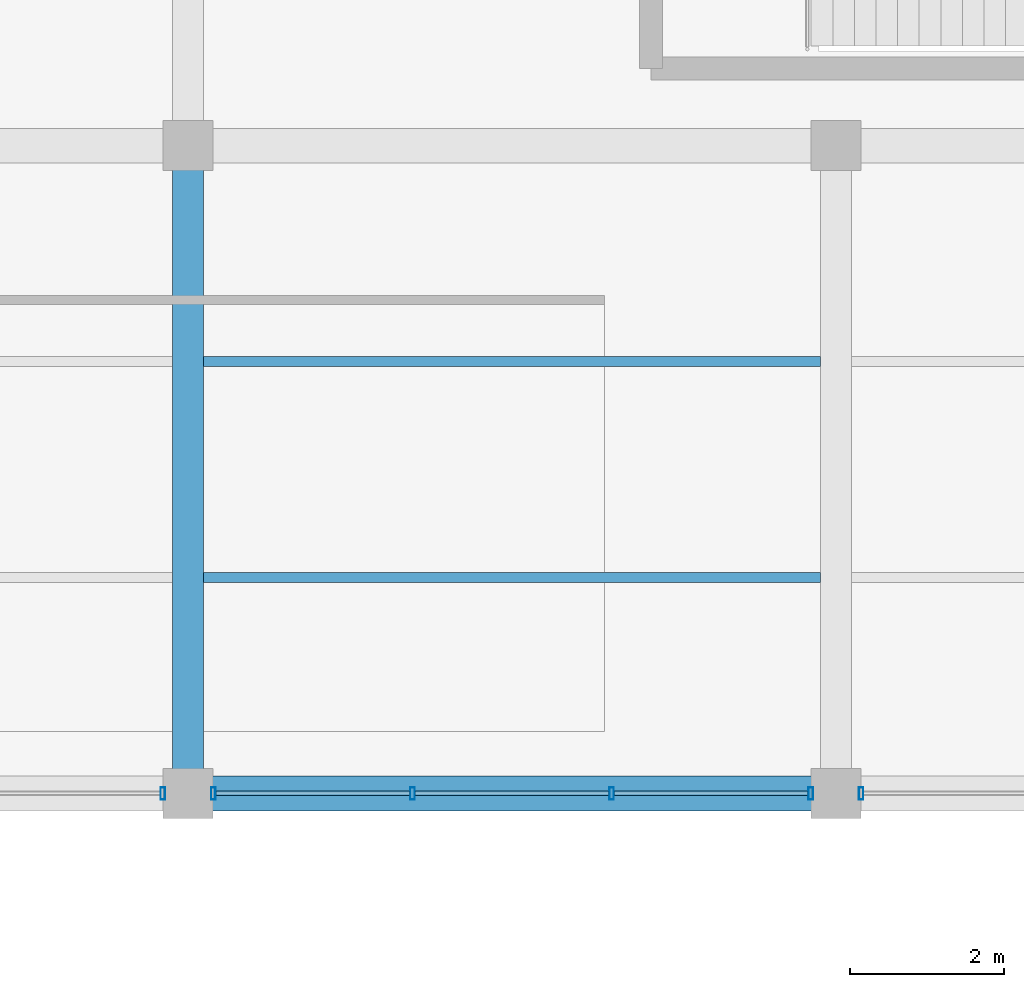
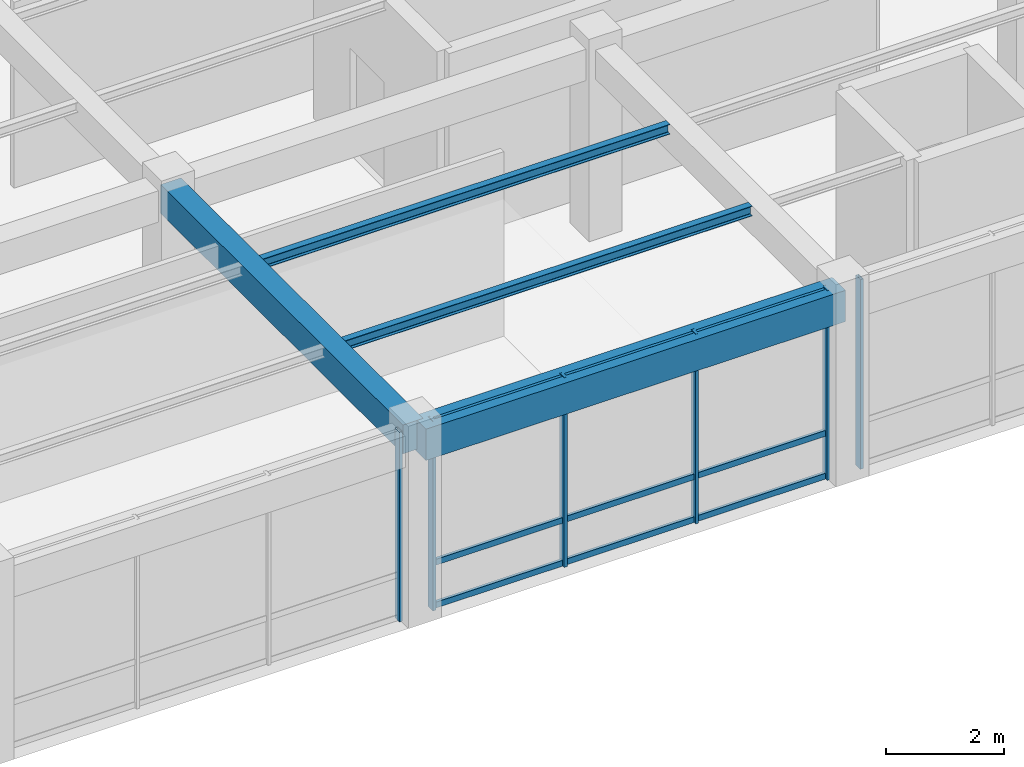
# One storey, part 20 of 138: 15 members, 4 beams, 3 elements without a shape of their own.
"""IFC4 building model written with IfcOpenShell, lengths in metres."""

from ifc_helpers import new_model, si_unit, direction, frame, origin, origin_2d, place, context, subcontext, project, spatial, rectangle, hollow_rectangle, i_section, extrude, material, material_profile, profile_set, type_object, element, aggregate, save


model = new_model("IFC4")

# Units and contexts
model_context = context("Model", 3, precision=1e-05, world=origin(), true_north=direction((0.0, 1.0)))
body_context = subcontext(model_context, "Body", "Model", "MODEL_VIEW")
ifc_project = project(units=[si_unit("LENGTHUNIT", "METRE"), si_unit("AREAUNIT", "SQUARE_METRE"), si_unit("VOLUMEUNIT", "CUBIC_METRE"), si_unit("PLANEANGLEUNIT", "RADIAN"), si_unit("MASSUNIT", "GRAM", prefix="KILO"), si_unit("THERMODYNAMICTEMPERATUREUNIT", "KELVIN"), si_unit("POWERUNIT", "WATT")], contexts=[model_context])

# Site, building, storey
site_placement = place(None, origin())
site = spatial("IfcSite", under=ifc_project, at=site_placement, CompositionType="ELEMENT")
building_placement = place(site_placement, origin())
building = spatial("IfcBuilding", under=site, at=building_placement, Name="Darbajah Civic Hall", CompositionType="ELEMENT")
storey_placement = place(building_placement, frame((0.0, 0.0, 9.60009765625)))
storey = spatial("IfcBuildingStorey", under=building, at=storey_placement, Name="L02", CompositionType="ELEMENT", Elevation=9.60009765625)

# Curtain wall, member
ifc_material_1 = material(Name="Anodised Bronze Aluminium and Low-E Glazing", Category="aluminium")
curtain_wall_type = type_object("IfcCurtainWallType", Name="Unitised Curtain Wall CW-99 7700x3950", PredefinedType="USERDEFINED", material=ifc_material_1)
curtain_wall_1_placement = place(storey_placement, origin())
curtain_wall_1 = element("IfcCurtainWall", 1, at=curtain_wall_1_placement, inside=storey, type_object=curtain_wall_type, Name="L02 unitised curtain wall CW-V5-L02-S2-B1", ObjectType="UNITISED CURTAIN WALL", PredefinedType="USERDEFINED")
ifc_material_2 = material(Name="Anodised Bronze Aluminium", Category="aluminium")
ifc_material_profile_1 = material_profile(ifc_material_2, hollow_rectangle(XDim=0.06005859375, YDim=0.159912109375, WallThickness=0.00341796875, at=origin_2d()), Name="ALU MULLION 60x160")
ifc_profile_set_1 = profile_set([ifc_material_profile_1], Name="Anodised Bronze Aluminium")
member_type_1 = type_object("IfcMemberType", Name="ALU MULLION 60x160", PredefinedType="MULLION", material=ifc_profile_set_1)
member_1_placement = place(storey_placement, frame((33.27294921875, 16.800048828125, 0.0), z_axis=(0.0, 0.0, 1.0), x_axis=(1.0, 0.0, 0.0)))
member_1 = element("IfcMember", 2, at=member_1_placement, type_object=member_type_1, Name="CW-V5-L02-S2-B1 mullion 4", PredefinedType="MULLION", context=body_context, shape_type="SweptSolid", body=[
    extrude(hollow_rectangle(XDim=0.06005859375, YDim=0.159912109375, WallThickness=0.00341796875, at=origin_2d()), origin(), (0.0, 0.0, 1.0), 3.93994140625),
])
aggregate(curtain_wall_1, [member_1])

# Curtain wall, members
curtain_wall_2_placement = place(storey_placement, origin())
curtain_wall_2 = element("IfcCurtainWall", 3, at=curtain_wall_2_placement, inside=storey, type_object=curtain_wall_type, Name="L02 unitised curtain wall CW-V5-L02-S2-B2", ObjectType="UNITISED CURTAIN WALL", PredefinedType="USERDEFINED")
member_2_placement = place(storey_placement, frame((33.927001953125, 16.800048828125, 0.0), z_axis=(0.0, 0.0, 1.0), x_axis=(1.0, 0.0, 0.0)))
member_2 = element("IfcMember", 4, at=member_2_placement, type_object=member_type_1, Name="CW-V5-L02-S2-B2 mullion 1", PredefinedType="MULLION", context=body_context, shape_type="SweptSolid", body=[
    extrude(hollow_rectangle(XDim=0.06005859375, YDim=0.159912109375, WallThickness=0.00341796875, at=origin_2d()), origin(), (0.0, 0.0, 1.0), 3.93994140625),
])
member_3_placement = place(storey_placement, frame((36.509033203125, 16.800048828125, 0.0), z_axis=(0.0, 0.0, 1.0), x_axis=(1.0, 0.0, 0.0)))
member_3 = element("IfcMember", 5, at=member_3_placement, type_object=member_type_1, Name="CW-V5-L02-S2-B2 mullion 2", PredefinedType="MULLION", context=body_context, shape_type="SweptSolid", body=[
    extrude(hollow_rectangle(XDim=0.06005859375, YDim=0.159912109375, WallThickness=0.00341796875, at=origin_2d()), origin(), (0.0, 0.0, 1.0), 3.93994140625),
])
member_4_placement = place(storey_placement, frame((39.091064453125, 16.800048828125, 0.0), z_axis=(0.0, 0.0, 1.0), x_axis=(1.0, 0.0, 0.0)))
member_4 = element("IfcMember", 6, at=member_4_placement, type_object=member_type_1, Name="CW-V5-L02-S2-B2 mullion 3", PredefinedType="MULLION", context=body_context, shape_type="SweptSolid", body=[
    extrude(hollow_rectangle(XDim=0.06005859375, YDim=0.159912109375, WallThickness=0.00341796875, at=origin_2d()), origin(), (0.0, 0.0, 1.0), 3.93994140625),
])
member_5_placement = place(storey_placement, frame((41.673095703125, 16.800048828125, 0.0), z_axis=(0.0, 0.0, 1.0), x_axis=(1.0, 0.0, 0.0)))
member_5 = element("IfcMember", 7, at=member_5_placement, type_object=member_type_1, Name="CW-V5-L02-S2-B2 mullion 4", PredefinedType="MULLION", context=body_context, shape_type="SweptSolid", body=[
    extrude(hollow_rectangle(XDim=0.06005859375, YDim=0.159912109375, WallThickness=0.00341796875, at=origin_2d()), origin(), (0.0, 0.0, 1.0), 3.93994140625),
])

# Curtain wall, member
curtain_wall_3_placement = place(storey_placement, origin())
curtain_wall_3 = element("IfcCurtainWall", 8, at=curtain_wall_3_placement, inside=storey, type_object=curtain_wall_type, Name="L02 unitised curtain wall CW-V5-L02-S2-B3", ObjectType="UNITISED CURTAIN WALL", PredefinedType="USERDEFINED")
member_6_placement = place(storey_placement, frame((42.326904296875, 16.800048828125, 0.0), z_axis=(0.0, 0.0, 1.0), x_axis=(1.0, 0.0, 0.0)))
member_6 = element("IfcMember", 9, at=member_6_placement, type_object=member_type_1, Name="CW-V5-L02-S2-B3 mullion 1", PredefinedType="MULLION", context=body_context, shape_type="SweptSolid", body=[
    extrude(hollow_rectangle(XDim=0.06005859375, YDim=0.159912109375, WallThickness=0.00341796875, at=origin_2d()), origin(), (0.0, 0.0, 1.0), 3.93994140625),
])
aggregate(curtain_wall_3, [member_6])

# Member
ifc_material_profile_2 = material_profile(ifc_material_2, hollow_rectangle(XDim=0.06005859375, YDim=0.1201171875, WallThickness=0.003173828125, at=origin_2d()), Name="ALU TRANSOM 60x120")
ifc_profile_set_2 = profile_set([ifc_material_profile_2], Name="Anodised Bronze Aluminium")
member_type_2 = type_object("IfcMemberType", Name="ALU TRANSOM 60x120", PredefinedType="USERDEFINED", material=ifc_profile_set_2)
member_7_placement = place(storey_placement, frame((33.9619140625, 16.800048828125, 0.059814453125), z_axis=(1.0, 0.0, 0.0), x_axis=(0.0, 1.0, 0.0)))
member_7 = element("IfcMember", 10, at=member_7_placement, type_object=member_type_2, Name="CW-V5-L02-S2-B2 transom 1.1", ObjectType="TRANSOM", PredefinedType="USERDEFINED", context=body_context, shape_type="SweptSolid", body=[
    extrude(hollow_rectangle(XDim=0.06005859375, YDim=0.1201171875, WallThickness=0.003173828125, at=origin_2d()), origin(), (0.0, 0.0, 1.0), 2.51220703125),
])

member_8_placement = place(storey_placement, frame((33.9619140625, 16.800048828125, 0.949951171875), z_axis=(1.0, 0.0, 0.0), x_axis=(0.0, 1.0, 0.0)))
member_8 = element("IfcMember", 11, at=member_8_placement, type_object=member_type_2, Name="CW-V5-L02-S2-B2 transom 1.2", ObjectType="TRANSOM", PredefinedType="USERDEFINED", context=body_context, shape_type="SweptSolid", body=[
    extrude(hollow_rectangle(XDim=0.06005859375, YDim=0.1201171875, WallThickness=0.003173828125, at=origin_2d()), origin(), (0.0, 0.0, 1.0), 2.51220703125),
])

member_9_placement = place(storey_placement, frame((33.9619140625, 16.800048828125, 3.8798828125), z_axis=(1.0, 0.0, 0.0), x_axis=(0.0, 1.0, 0.0)))
member_9 = element("IfcMember", 12, at=member_9_placement, type_object=member_type_2, Name="CW-V5-L02-S2-B2 transom 1.3", ObjectType="TRANSOM", PredefinedType="USERDEFINED", context=body_context, shape_type="SweptSolid", body=[
    extrude(hollow_rectangle(XDim=0.06005859375, YDim=0.1201171875, WallThickness=0.003173828125, at=origin_2d()), origin(), (0.0, 0.0, 1.0), 2.51220703125),
])

member_10_placement = place(storey_placement, frame((36.5439453125, 16.800048828125, 0.059814453125), z_axis=(1.0, 0.0, 0.0), x_axis=(0.0, 1.0, 0.0)))
member_10 = element("IfcMember", 13, at=member_10_placement, type_object=member_type_2, Name="CW-V5-L02-S2-B2 transom 2.1", ObjectType="TRANSOM", PredefinedType="USERDEFINED", context=body_context, shape_type="SweptSolid", body=[
    extrude(hollow_rectangle(XDim=0.06005859375, YDim=0.1201171875, WallThickness=0.003173828125, at=origin_2d()), origin(), (0.0, 0.0, 1.0), 2.511962890625),
])

member_11_placement = place(storey_placement, frame((36.5439453125, 16.800048828125, 0.949951171875), z_axis=(1.0, 0.0, 0.0), x_axis=(0.0, 1.0, 0.0)))
member_11 = element("IfcMember", 14, at=member_11_placement, type_object=member_type_2, Name="CW-V5-L02-S2-B2 transom 2.2", ObjectType="TRANSOM", PredefinedType="USERDEFINED", context=body_context, shape_type="SweptSolid", body=[
    extrude(hollow_rectangle(XDim=0.06005859375, YDim=0.1201171875, WallThickness=0.003173828125, at=origin_2d()), origin(), (0.0, 0.0, 1.0), 2.511962890625),
])

member_12_placement = place(storey_placement, frame((36.5439453125, 16.800048828125, 3.8798828125), z_axis=(1.0, 0.0, 0.0), x_axis=(0.0, 1.0, 0.0)))
member_12 = element("IfcMember", 15, at=member_12_placement, type_object=member_type_2, Name="CW-V5-L02-S2-B2 transom 2.3", ObjectType="TRANSOM", PredefinedType="USERDEFINED", context=body_context, shape_type="SweptSolid", body=[
    extrude(hollow_rectangle(XDim=0.06005859375, YDim=0.1201171875, WallThickness=0.003173828125, at=origin_2d()), origin(), (0.0, 0.0, 1.0), 2.511962890625),
])

member_13_placement = place(storey_placement, frame((39.1259765625, 16.800048828125, 0.059814453125), z_axis=(1.0, 0.0, 0.0), x_axis=(0.0, 1.0, 0.0)))
member_13 = element("IfcMember", 16, at=member_13_placement, type_object=member_type_2, Name="CW-V5-L02-S2-B2 transom 3.1", ObjectType="TRANSOM", PredefinedType="USERDEFINED", context=body_context, shape_type="SweptSolid", body=[
    extrude(hollow_rectangle(XDim=0.06005859375, YDim=0.1201171875, WallThickness=0.003173828125, at=origin_2d()), origin(), (0.0, 0.0, 1.0), 2.511962890625),
])

member_14_placement = place(storey_placement, frame((39.1259765625, 16.800048828125, 0.949951171875), z_axis=(1.0, 0.0, 0.0), x_axis=(0.0, 1.0, 0.0)))
member_14 = element("IfcMember", 17, at=member_14_placement, type_object=member_type_2, Name="CW-V5-L02-S2-B2 transom 3.2", ObjectType="TRANSOM", PredefinedType="USERDEFINED", context=body_context, shape_type="SweptSolid", body=[
    extrude(hollow_rectangle(XDim=0.06005859375, YDim=0.1201171875, WallThickness=0.003173828125, at=origin_2d()), origin(), (0.0, 0.0, 1.0), 2.511962890625),
])

member_15_placement = place(storey_placement, frame((39.1259765625, 16.800048828125, 3.8798828125), z_axis=(1.0, 0.0, 0.0), x_axis=(0.0, 1.0, 0.0)))
member_15 = element("IfcMember", 18, at=member_15_placement, type_object=member_type_2, Name="CW-V5-L02-S2-B2 transom 3.3", ObjectType="TRANSOM", PredefinedType="USERDEFINED", context=body_context, shape_type="SweptSolid", body=[
    extrude(hollow_rectangle(XDim=0.06005859375, YDim=0.1201171875, WallThickness=0.003173828125, at=origin_2d()), origin(), (0.0, 0.0, 1.0), 2.511962890625),
])

aggregate(curtain_wall_2, [member_2, member_3, member_4, member_5, member_7, member_8, member_9, member_10, member_11, member_12, member_13, member_14, member_15])

# Beams
ifc_material_3 = material(Name="Concrete C45/55", Category="concrete")
ifc_material_profile_3 = material_profile(ifc_material_3, rectangle(XDim=0.39990234375, YDim=0.60009765625, at=origin_2d()), Name="RC BEAM 400x600")
ifc_profile_set_3 = profile_set([ifc_material_profile_3], Name="Concrete C45/55")
beam_type_1 = type_object("IfcBeamType", Name="RC BEAM 400x600", PredefinedType="BEAM", material=ifc_profile_set_3)
beam_1_placement = place(storey_placement, frame((33.60009765625, 16.8798828125, 3.639892578125), z_axis=(0.0, 1.0, 0.0), x_axis=(-1.0, 0.0, 0.0)))
element("IfcBeam", 19, at=beam_1_placement, inside=storey, type_object=beam_type_1, Name="L02 beam BM-4060", PredefinedType="BEAM", context=body_context, shape_type="SweptSolid", body=[
    extrude(rectangle(XDim=0.39990234375, YDim=0.60009765625, at=origin_2d()), origin(), (0.0, 0.0, 1.0), 8.240234375),
])
ifc_material_profile_4 = material_profile(ifc_material_3, rectangle(XDim=0.449951171875, YDim=0.64990234375, at=origin_2d()), Name="RC BEAM 450x650")
ifc_profile_set_4 = profile_set([ifc_material_profile_4], Name="Concrete C45/55")
beam_type_2 = type_object("IfcBeamType", Name="RC BEAM 450x650", PredefinedType="BEAM", material=ifc_profile_set_4)
beam_2_placement = place(storey_placement, frame((33.679931640625, 16.800048828125, 3.614990234375), z_axis=(1.0, 0.0, 0.0), x_axis=(0.0, 1.0, 0.0)))
element("IfcBeam", 20, at=beam_2_placement, inside=storey, type_object=beam_type_2, Name="L02 beam BM-4565", PredefinedType="BEAM", context=body_context, shape_type="SweptSolid", body=[
    extrude(rectangle(XDim=0.449951171875, YDim=0.64990234375, at=origin_2d()), origin(), (0.0, 0.0, 1.0), 8.239990234375),
])
ifc_material_4 = material(Name="Steel S355JR", Category="steel")
ifc_material_profile_5 = material_profile(ifc_material_4, i_section(OverallWidth=0.1337890625, OverallDepth=0.206787109375, WebThickness=0.00634765625, FlangeThickness=0.009521484375, FilletRadius=0.007568359375, at=origin_2d()), Name="UB 203x133x30")
ifc_profile_set_5 = profile_set([ifc_material_profile_5], Name="Steel S355JR")
beam_type_3 = type_object("IfcBeamType", Name="UB 203x133x30", PredefinedType="JOIST", material=ifc_profile_set_5)
for number, where, z_axis, x_axis, name in (
    (21, (33.800048828125, 19.60009765625, 3.83642578125), (1.0, 0.0, 0.0), (0.0, 1.0, 0.0), "L02 beam SJ-203"),
    (22, (33.800048828125, 22.39990234375, 3.83642578125), (1.0, 0.0, 0.0), (0.0, 1.0, 0.0), "L02 beam SJ-203"),
):
    element("IfcBeam", number, at=place(storey_placement, frame(where, z_axis=z_axis, x_axis=x_axis)), inside=storey, type_object=beam_type_3, Name=name, PredefinedType="JOIST", context=body_context, shape_type="SweptSolid", body=[
        extrude(i_section(OverallWidth=0.1337890625, OverallDepth=0.206787109375, WebThickness=0.00634765625, FlangeThickness=0.009521484375, FilletRadius=0.007568359375, at=origin_2d()), origin(), (0.0, 0.0, 1.0), 8.0),
    ])

save(model, "model.ifc")
